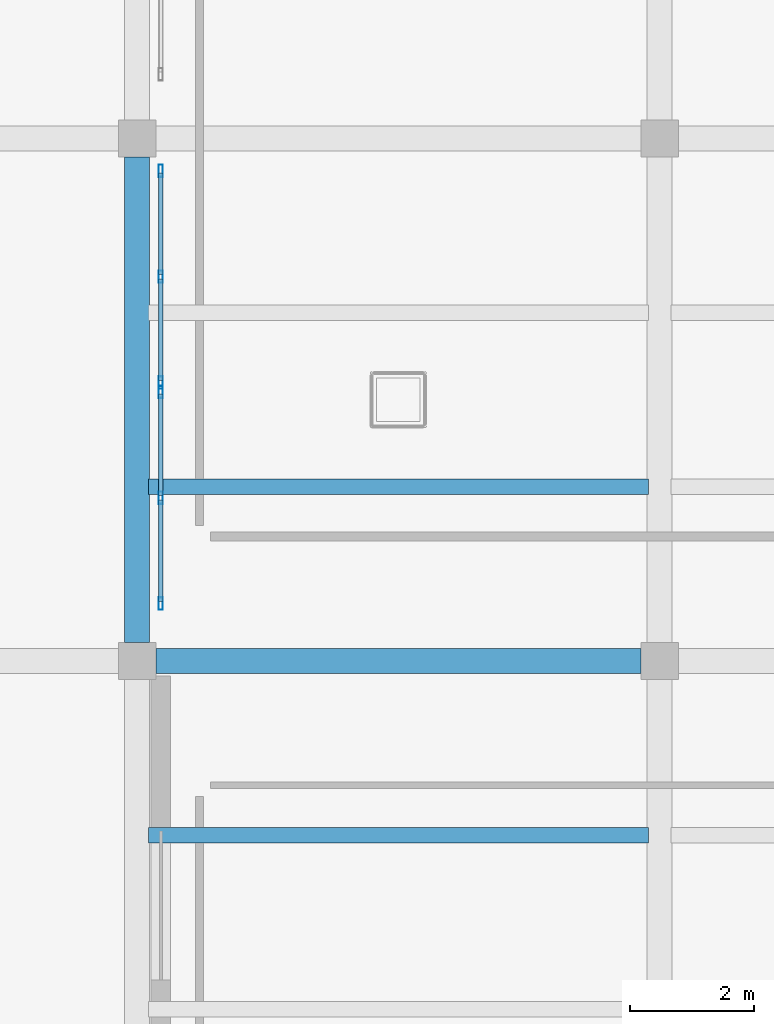
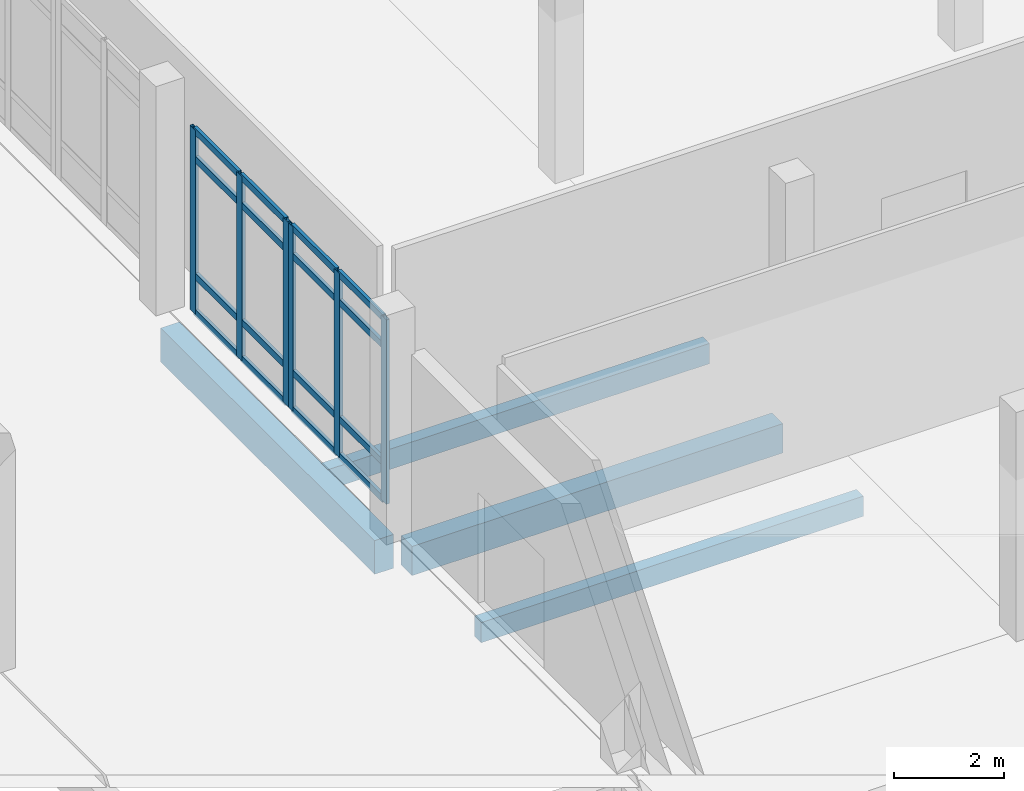
# One storey, part 23 of 64: 22 members, 4 beams, 2 elements without a shape of their own.
"""IFC4 building model written with IfcOpenShell, lengths in metres."""

from ifc_helpers import new_model, si_unit, derived_unit, direction, frame, origin, origin_2d, place, context, subcontext, project, spatial, rectangle, hollow_rectangle, extrude, material, layer, layer_set, material_profile, profile_set, type_object, element, aggregate, save


model = new_model("IFC4")

# Units and contexts
model_context = context("Model", 3, precision=1e-05, world=origin(), true_north=direction((0.0, 1.0)))
body_context = subcontext(model_context, "Body", "Model", "MODEL_VIEW")
ifc_project = project(units=[si_unit("LENGTHUNIT", "METRE"), si_unit("AREAUNIT", "SQUARE_METRE"), si_unit("VOLUMEUNIT", "CUBIC_METRE"), si_unit("PLANEANGLEUNIT", "RADIAN"), si_unit("MASSUNIT", "GRAM", prefix="KILO"), derived_unit("THERMALTRANSMITTANCEUNIT", [(si_unit("POWERUNIT", "WATT"), 1), (si_unit("LENGTHUNIT", "METRE"), -2), (si_unit("THERMODYNAMICTEMPERATUREUNIT", "KELVIN"), -1)])], contexts=[model_context])

# Site, building, storey
site_placement = place(None, origin())
site = spatial("IfcSite", under=ifc_project, at=site_placement, CompositionType="ELEMENT")
building_placement = place(site_placement, origin())
building = spatial("IfcBuilding", under=site, at=building_placement, Name="Elbkamm Science Centre", CompositionType="ELEMENT")
storey_placement = place(building_placement, origin())
storey = spatial("IfcBuildingStorey", under=building, at=storey_placement, Name="L00", CompositionType="ELEMENT", Elevation=0.0)

# Beams
ifc_material_1 = material(Name="Concrete C40/50", Category="concrete")
ifc_material_profile_1 = material_profile(ifc_material_1, rectangle(XDim=0.39990234375, YDim=0.64990234375, at=origin_2d()), Name="RC 400x650")
ifc_profile_set_1 = profile_set([ifc_material_profile_1], Name="Concrete C40/50")
beam_type_1 = type_object("IfcBeamType", Name="BM-RC-400x650", PredefinedType="BEAM", material=ifc_profile_set_1)
beam_1_placement = place(storey_placement, frame((134.699951171875, 84.0, -0.625), z_axis=(1.0, 0.0, 0.0), x_axis=(0.0, 1.0, 0.0)))
element("IfcBeam", 1, at=beam_1_placement, inside=storey, type_object=beam_type_1, Name="L00 Primary X-Girder 081", PredefinedType="BEAM", context=body_context, shape_type="SweptSolid", body=[
    extrude(rectangle(XDim=0.39990234375, YDim=0.64990234375, at=origin_2d()), origin(), (0.0, 0.0, 1.0), 7.800048828125),
])
ifc_material_profile_2 = material_profile(ifc_material_1, rectangle(XDim=0.39990234375, YDim=0.75, at=origin_2d()), Name="RC 400x750")
ifc_profile_set_2 = profile_set([ifc_material_profile_2], Name="Concrete C40/50")
beam_type_2 = type_object("IfcBeamType", Name="BM-RC-400x750", PredefinedType="BEAM", material=ifc_profile_set_2)
beam_2_placement = place(storey_placement, frame((134.39990234375, 84.300048828125, -0.675048828125), z_axis=(0.0, 1.0, 0.0), x_axis=(-1.0, 0.0, 0.0)))
element("IfcBeam", 2, at=beam_2_placement, inside=storey, type_object=beam_type_2, Name="L00 Primary Y-Girder 059", PredefinedType="BEAM", context=body_context, shape_type="SweptSolid", body=[
    extrude(rectangle(XDim=0.39990234375, YDim=0.75, at=origin_2d()), origin(), (0.0, 0.0, 1.0), 7.800048828125),
])

# Curtain wall, members
ifc_material_2 = material(Name="Powder-coated aluminium and triple low-E glazing", Category="aluminium")
ifc_layer = layer(ifc_material_2, 0.159912109375)
ifc_layer_set = layer_set([ifc_layer], Name="Powder-coated aluminium and triple low-E glazing")
curtain_wall_type = type_object("IfcCurtainWallType", Name="CW-UNIT-3480x4100", PredefinedType="USERDEFINED", material=ifc_layer_set)
curtain_wall_1_placement = place(storey_placement, origin())
curtain_wall_1 = element("IfcCurtainWall", 3, at=curtain_wall_1_placement, inside=storey, type_object=curtain_wall_type, Name="L00 Unitised Curtain Wall 102", ObjectType="UNITISED CURTAIN WALL", PredefinedType="USERDEFINED")
ifc_material_3 = material(Name="Powder-coated aluminium EN AW-6060", Category="aluminium")
ifc_material_profile_3 = material_profile(ifc_material_3, hollow_rectangle(XDim=0.070068359375, YDim=0.199951171875, WallThickness=0.00439453125, at=origin_2d()), Name="ALU M70x200")
ifc_profile_set_3 = profile_set([ifc_material_profile_3], Name="Powder-coated aluminium EN AW-6060")
member_type_1 = type_object("IfcMemberType", Name="CW-MUL-70x200", PredefinedType="MULLION", material=ifc_profile_set_3)
member_1_placement = place(storey_placement, frame((134.780029296875, 84.919921875, 0.0), z_axis=(0.0, 0.0, 1.0), x_axis=(-1.0, 0.0, 0.0)))
member_1 = element("IfcMember", 4, at=member_1_placement, type_object=member_type_1, Name="CW-051 mullion 1", PredefinedType="MULLION", context=body_context, shape_type="SweptSolid", body=[
    extrude(hollow_rectangle(XDim=0.070068359375, YDim=0.199951171875, WallThickness=0.00439453125, at=origin_2d()), origin(), (0.0, 0.0, 1.0), 4.10009765625),
])
member_2_placement = place(storey_placement, frame((134.780029296875, 86.6220703125, 0.0), z_axis=(0.0, 0.0, 1.0), x_axis=(-1.0, 0.0, 0.0)))
member_2 = element("IfcMember", 5, at=member_2_placement, type_object=member_type_1, Name="CW-051 mullion 2", PredefinedType="MULLION", context=body_context, shape_type="SweptSolid", body=[
    extrude(hollow_rectangle(XDim=0.070068359375, YDim=0.199951171875, WallThickness=0.00439453125, at=origin_2d()), origin(), (0.0, 0.0, 1.0), 4.10009765625),
])
member_3_placement = place(storey_placement, frame((134.780029296875, 88.32421875, 0.0), z_axis=(0.0, 0.0, 1.0), x_axis=(-1.0, 0.0, 0.0)))
member_3 = element("IfcMember", 6, at=member_3_placement, type_object=member_type_1, Name="CW-051 mullion 3", PredefinedType="MULLION", context=body_context, shape_type="SweptSolid", body=[
    extrude(hollow_rectangle(XDim=0.070068359375, YDim=0.199951171875, WallThickness=0.00439453125, at=origin_2d()), origin(), (0.0, 0.0, 1.0), 4.10009765625),
])

curtain_wall_2_placement = place(storey_placement, origin())
curtain_wall_2 = element("IfcCurtainWall", 7, at=curtain_wall_2_placement, inside=storey, type_object=curtain_wall_type, Name="L00 Unitised Curtain Wall 103", ObjectType="UNITISED CURTAIN WALL", PredefinedType="USERDEFINED")
member_4_placement = place(storey_placement, frame((134.780029296875, 88.474365234375, 0.0), z_axis=(0.0, 0.0, 1.0), x_axis=(-1.0, 0.0, 0.0)))
member_4 = element("IfcMember", 8, at=member_4_placement, type_object=member_type_1, Name="CW-051 mullion 1", PredefinedType="MULLION", context=body_context, shape_type="SweptSolid", body=[
    extrude(hollow_rectangle(XDim=0.070068359375, YDim=0.199951171875, WallThickness=0.00439453125, at=origin_2d()), origin(), (0.0, 0.0, 1.0), 4.10009765625),
])
member_5_placement = place(storey_placement, frame((134.780029296875, 90.176513671875, 0.0), z_axis=(0.0, 0.0, 1.0), x_axis=(-1.0, 0.0, 0.0)))
member_5 = element("IfcMember", 9, at=member_5_placement, type_object=member_type_1, Name="CW-051 mullion 2", PredefinedType="MULLION", context=body_context, shape_type="SweptSolid", body=[
    extrude(hollow_rectangle(XDim=0.070068359375, YDim=0.199951171875, WallThickness=0.00439453125, at=origin_2d()), origin(), (0.0, 0.0, 1.0), 4.10009765625),
])
member_6_placement = place(storey_placement, frame((134.780029296875, 91.878662109375, 0.0), z_axis=(0.0, 0.0, 1.0), x_axis=(-1.0, 0.0, 0.0)))
member_6 = element("IfcMember", 10, at=member_6_placement, type_object=member_type_1, Name="CW-051 mullion 3", PredefinedType="MULLION", context=body_context, shape_type="SweptSolid", body=[
    extrude(hollow_rectangle(XDim=0.070068359375, YDim=0.199951171875, WallThickness=0.00439453125, at=origin_2d()), origin(), (0.0, 0.0, 1.0), 4.10009765625),
])

# Member
ifc_material_profile_4 = material_profile(ifc_material_3, hollow_rectangle(XDim=0.070068359375, YDim=0.14990234375, WallThickness=0.00390625, at=origin_2d()), Name="ALU T70x150")
ifc_profile_set_4 = profile_set([ifc_material_profile_4], Name="Powder-coated aluminium EN AW-6060")
member_type_2 = type_object("IfcMemberType", Name="CW-TRN-70x150", PredefinedType="USERDEFINED", material=ifc_profile_set_4)
member_7_placement = place(storey_placement, frame((134.780029296875, 84.955078125, 0.034912109375), z_axis=(0.0, 1.0, 0.0), x_axis=(-1.0, 0.0, 0.0)))
member_7 = element("IfcMember", 11, at=member_7_placement, type_object=member_type_2, Name="CW-051 transom 1.1", ObjectType="TRANSOM", PredefinedType="USERDEFINED", context=body_context, shape_type="SweptSolid", body=[
    extrude(hollow_rectangle(XDim=0.070068359375, YDim=0.14990234375, WallThickness=0.00390625, at=origin_2d()), origin(), (0.0, 0.0, 1.0), 1.632080078125),
])

member_8_placement = place(storey_placement, frame((134.780029296875, 84.955078125, 0.85009765625), z_axis=(0.0, 1.0, 0.0), x_axis=(-1.0, 0.0, 0.0)))
member_8 = element("IfcMember", 12, at=member_8_placement, type_object=member_type_2, Name="CW-051 transom 1.2", ObjectType="TRANSOM", PredefinedType="USERDEFINED", context=body_context, shape_type="SweptSolid", body=[
    extrude(hollow_rectangle(XDim=0.070068359375, YDim=0.14990234375, WallThickness=0.00390625, at=origin_2d()), origin(), (0.0, 0.0, 1.0), 1.632080078125),
])

member_9_placement = place(storey_placement, frame((134.780029296875, 84.955078125, 3.449951171875), z_axis=(0.0, 1.0, 0.0), x_axis=(-1.0, 0.0, 0.0)))
member_9 = element("IfcMember", 13, at=member_9_placement, type_object=member_type_2, Name="CW-051 transom 1.3", ObjectType="TRANSOM", PredefinedType="USERDEFINED", context=body_context, shape_type="SweptSolid", body=[
    extrude(hollow_rectangle(XDim=0.070068359375, YDim=0.14990234375, WallThickness=0.00390625, at=origin_2d()), origin(), (0.0, 0.0, 1.0), 1.632080078125),
])

member_10_placement = place(storey_placement, frame((134.780029296875, 84.955078125, 4.06494140625), z_axis=(0.0, 1.0, 0.0), x_axis=(-1.0, 0.0, 0.0)))
member_10 = element("IfcMember", 14, at=member_10_placement, type_object=member_type_2, Name="CW-051 transom 1.4", ObjectType="TRANSOM", PredefinedType="USERDEFINED", context=body_context, shape_type="SweptSolid", body=[
    extrude(hollow_rectangle(XDim=0.070068359375, YDim=0.14990234375, WallThickness=0.00390625, at=origin_2d()), origin(), (0.0, 0.0, 1.0), 1.632080078125),
])

member_11_placement = place(storey_placement, frame((134.780029296875, 86.6572265625, 0.034912109375), z_axis=(0.0, 1.0, 0.0), x_axis=(-1.0, 0.0, 0.0)))
member_11 = element("IfcMember", 15, at=member_11_placement, type_object=member_type_2, Name="CW-051 transom 2.1", ObjectType="TRANSOM", PredefinedType="USERDEFINED", context=body_context, shape_type="SweptSolid", body=[
    extrude(hollow_rectangle(XDim=0.070068359375, YDim=0.14990234375, WallThickness=0.00390625, at=origin_2d()), origin(), (0.0, 0.0, 1.0), 1.632080078125),
])

member_12_placement = place(storey_placement, frame((134.780029296875, 86.6572265625, 0.85009765625), z_axis=(0.0, 1.0, 0.0), x_axis=(-1.0, 0.0, 0.0)))
member_12 = element("IfcMember", 16, at=member_12_placement, type_object=member_type_2, Name="CW-051 transom 2.2", ObjectType="TRANSOM", PredefinedType="USERDEFINED", context=body_context, shape_type="SweptSolid", body=[
    extrude(hollow_rectangle(XDim=0.070068359375, YDim=0.14990234375, WallThickness=0.00390625, at=origin_2d()), origin(), (0.0, 0.0, 1.0), 1.632080078125),
])

member_13_placement = place(storey_placement, frame((134.780029296875, 86.6572265625, 3.449951171875), z_axis=(0.0, 1.0, 0.0), x_axis=(-1.0, 0.0, 0.0)))
member_13 = element("IfcMember", 17, at=member_13_placement, type_object=member_type_2, Name="CW-051 transom 2.3", ObjectType="TRANSOM", PredefinedType="USERDEFINED", context=body_context, shape_type="SweptSolid", body=[
    extrude(hollow_rectangle(XDim=0.070068359375, YDim=0.14990234375, WallThickness=0.00390625, at=origin_2d()), origin(), (0.0, 0.0, 1.0), 1.632080078125),
])

member_14_placement = place(storey_placement, frame((134.780029296875, 86.6572265625, 4.06494140625), z_axis=(0.0, 1.0, 0.0), x_axis=(-1.0, 0.0, 0.0)))
member_14 = element("IfcMember", 18, at=member_14_placement, type_object=member_type_2, Name="CW-051 transom 2.4", ObjectType="TRANSOM", PredefinedType="USERDEFINED", context=body_context, shape_type="SweptSolid", body=[
    extrude(hollow_rectangle(XDim=0.070068359375, YDim=0.14990234375, WallThickness=0.00390625, at=origin_2d()), origin(), (0.0, 0.0, 1.0), 1.632080078125),
])

aggregate(curtain_wall_1, [member_1, member_2, member_3, member_7, member_8, member_9, member_10, member_11, member_12, member_13, member_14])

member_15_placement = place(storey_placement, frame((134.780029296875, 88.509521484375, 0.034912109375), z_axis=(0.0, 1.0, 0.0), x_axis=(-1.0, 0.0, 0.0)))
member_15 = element("IfcMember", 19, at=member_15_placement, type_object=member_type_2, Name="CW-051 transom 1.1", ObjectType="TRANSOM", PredefinedType="USERDEFINED", context=body_context, shape_type="SweptSolid", body=[
    extrude(hollow_rectangle(XDim=0.070068359375, YDim=0.14990234375, WallThickness=0.00390625, at=origin_2d()), origin(), (0.0, 0.0, 1.0), 1.632080078125),
])

member_16_placement = place(storey_placement, frame((134.780029296875, 88.509521484375, 0.85009765625), z_axis=(0.0, 1.0, 0.0), x_axis=(-1.0, 0.0, 0.0)))
member_16 = element("IfcMember", 20, at=member_16_placement, type_object=member_type_2, Name="CW-051 transom 1.2", ObjectType="TRANSOM", PredefinedType="USERDEFINED", context=body_context, shape_type="SweptSolid", body=[
    extrude(hollow_rectangle(XDim=0.070068359375, YDim=0.14990234375, WallThickness=0.00390625, at=origin_2d()), origin(), (0.0, 0.0, 1.0), 1.632080078125),
])

member_17_placement = place(storey_placement, frame((134.780029296875, 88.509521484375, 3.449951171875), z_axis=(0.0, 1.0, 0.0), x_axis=(-1.0, 0.0, 0.0)))
member_17 = element("IfcMember", 21, at=member_17_placement, type_object=member_type_2, Name="CW-051 transom 1.3", ObjectType="TRANSOM", PredefinedType="USERDEFINED", context=body_context, shape_type="SweptSolid", body=[
    extrude(hollow_rectangle(XDim=0.070068359375, YDim=0.14990234375, WallThickness=0.00390625, at=origin_2d()), origin(), (0.0, 0.0, 1.0), 1.632080078125),
])

member_18_placement = place(storey_placement, frame((134.780029296875, 88.509521484375, 4.06494140625), z_axis=(0.0, 1.0, 0.0), x_axis=(-1.0, 0.0, 0.0)))
member_18 = element("IfcMember", 22, at=member_18_placement, type_object=member_type_2, Name="CW-051 transom 1.4", ObjectType="TRANSOM", PredefinedType="USERDEFINED", context=body_context, shape_type="SweptSolid", body=[
    extrude(hollow_rectangle(XDim=0.070068359375, YDim=0.14990234375, WallThickness=0.00390625, at=origin_2d()), origin(), (0.0, 0.0, 1.0), 1.632080078125),
])

member_19_placement = place(storey_placement, frame((134.780029296875, 90.211669921875, 0.034912109375), z_axis=(0.0, 1.0, 0.0), x_axis=(-1.0, 0.0, 0.0)))
member_19 = element("IfcMember", 23, at=member_19_placement, type_object=member_type_2, Name="CW-051 transom 2.1", ObjectType="TRANSOM", PredefinedType="USERDEFINED", context=body_context, shape_type="SweptSolid", body=[
    extrude(hollow_rectangle(XDim=0.070068359375, YDim=0.14990234375, WallThickness=0.00390625, at=origin_2d()), origin(), (0.0, 0.0, 1.0), 1.632080078125),
])

member_20_placement = place(storey_placement, frame((134.780029296875, 90.211669921875, 0.85009765625), z_axis=(0.0, 1.0, 0.0), x_axis=(-1.0, 0.0, 0.0)))
member_20 = element("IfcMember", 24, at=member_20_placement, type_object=member_type_2, Name="CW-051 transom 2.2", ObjectType="TRANSOM", PredefinedType="USERDEFINED", context=body_context, shape_type="SweptSolid", body=[
    extrude(hollow_rectangle(XDim=0.070068359375, YDim=0.14990234375, WallThickness=0.00390625, at=origin_2d()), origin(), (0.0, 0.0, 1.0), 1.632080078125),
])

member_21_placement = place(storey_placement, frame((134.780029296875, 90.211669921875, 3.449951171875), z_axis=(0.0, 1.0, 0.0), x_axis=(-1.0, 0.0, 0.0)))
member_21 = element("IfcMember", 25, at=member_21_placement, type_object=member_type_2, Name="CW-051 transom 2.3", ObjectType="TRANSOM", PredefinedType="USERDEFINED", context=body_context, shape_type="SweptSolid", body=[
    extrude(hollow_rectangle(XDim=0.070068359375, YDim=0.14990234375, WallThickness=0.00390625, at=origin_2d()), origin(), (0.0, 0.0, 1.0), 1.632080078125),
])

member_22_placement = place(storey_placement, frame((134.780029296875, 90.211669921875, 4.06494140625), z_axis=(0.0, 1.0, 0.0), x_axis=(-1.0, 0.0, 0.0)))
member_22 = element("IfcMember", 26, at=member_22_placement, type_object=member_type_2, Name="CW-051 transom 2.4", ObjectType="TRANSOM", PredefinedType="USERDEFINED", context=body_context, shape_type="SweptSolid", body=[
    extrude(hollow_rectangle(XDim=0.070068359375, YDim=0.14990234375, WallThickness=0.00390625, at=origin_2d()), origin(), (0.0, 0.0, 1.0), 1.632080078125),
])

aggregate(curtain_wall_2, [member_4, member_5, member_6, member_15, member_16, member_17, member_18, member_19, member_20, member_21, member_22])

# Beams
ifc_material_profile_5 = material_profile(ifc_material_1, rectangle(XDim=0.25, YDim=0.449951171875, at=origin_2d()), Name="RC 250x450")
ifc_profile_set_5 = profile_set([ifc_material_profile_5], Name="Concrete C40/50")
beam_type_3 = type_object("IfcBeamType", Name="JST-RC-250x450", PredefinedType="JOIST", material=ifc_profile_set_5)
for number, where, z_axis, x_axis, name in (
    (27, (134.580078125, 81.199951171875, -0.52490234375), (1.0, 0.0, 0.0), (0.0, 1.0, 0.0), "L00 Secondary Floor Joist 042"),
    (28, (134.580078125, 86.800048828125, -0.52490234375), (1.0, 0.0, 0.0), (0.0, 1.0, 0.0), "L00 Secondary Floor Joist 043"),
):
    element("IfcBeam", number, at=place(storey_placement, frame(where, z_axis=z_axis, x_axis=x_axis)), inside=storey, type_object=beam_type_3, Name=name, PredefinedType="JOIST", context=body_context, shape_type="SweptSolid", body=[
        extrude(rectangle(XDim=0.25, YDim=0.449951171875, at=origin_2d()), origin(), (0.0, 0.0, 1.0), 8.0400390625),
    ])

save(model, "model.ifc")
